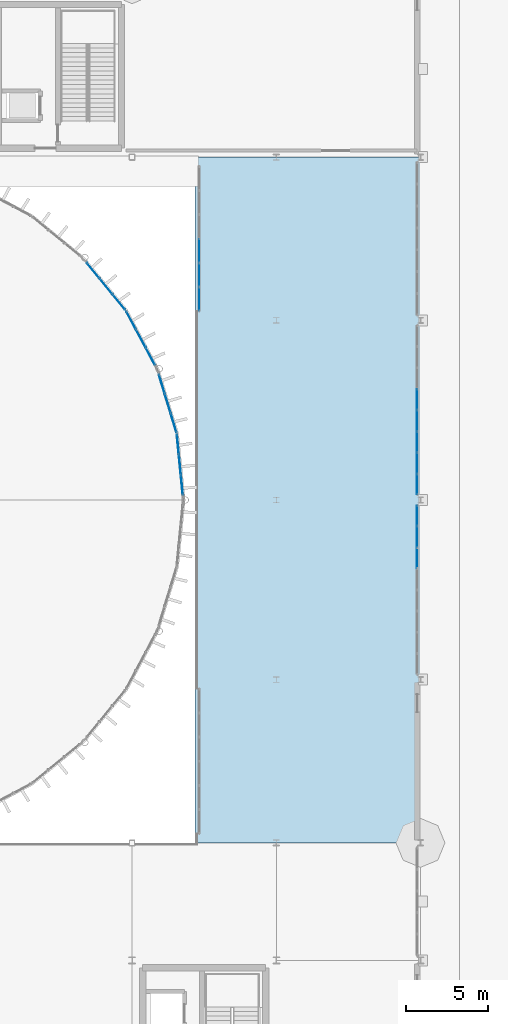
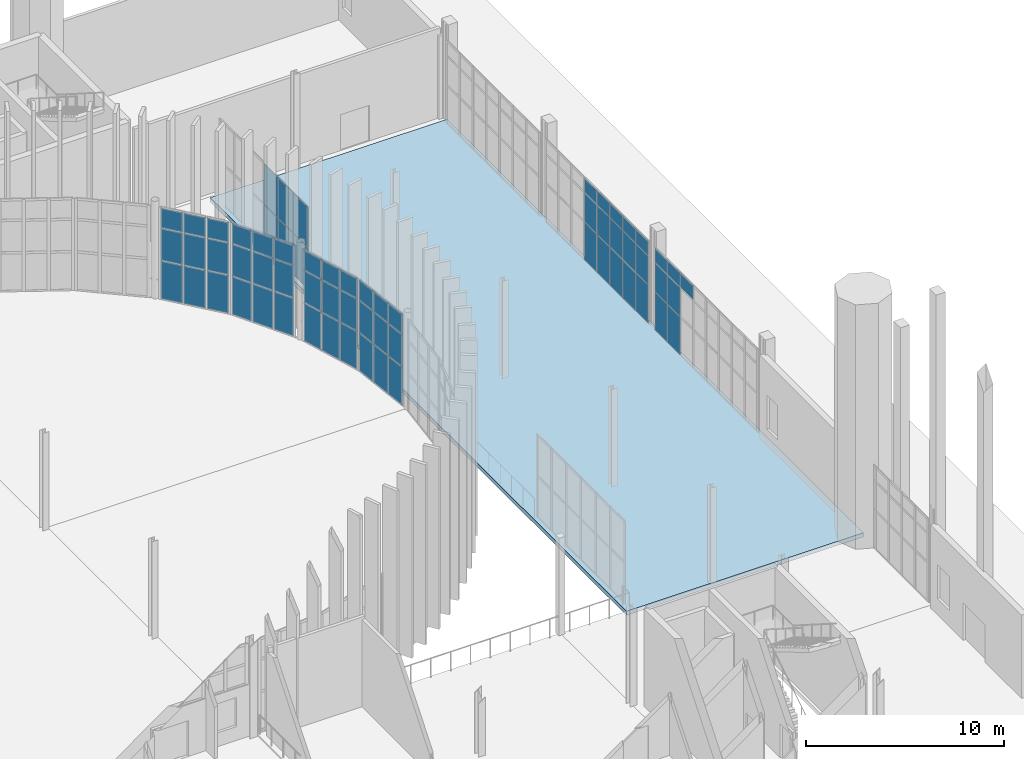
# One storey, part 84 of 139: 64 plates, 1 slab, 7 elements without a shape of their own.
"""IFC4 building model written with IfcOpenShell, lengths in metres."""

from ifc_helpers import new_model, si_unit, direction, frame, origin, origin_2d, place, context, subcontext, project, spatial, polyline, rectangle, outline, extrude, material, layer, layer_set, type_object, element, aggregate, save


model = new_model("IFC4")

# Units and contexts
model_context = context("Model", 3, precision=1e-05, world=origin(), true_north=direction((0.0, 1.0)))
body_context = subcontext(model_context, "Body", "Model", "MODEL_VIEW")
ifc_project = project(units=[si_unit("LENGTHUNIT", "METRE"), si_unit("AREAUNIT", "SQUARE_METRE"), si_unit("VOLUMEUNIT", "CUBIC_METRE"), si_unit("PLANEANGLEUNIT", "RADIAN"), si_unit("MASSUNIT", "GRAM", prefix="KILO")], contexts=[model_context])

# Site, building, storey
site_placement = place(None, origin())
site = spatial("IfcSite", under=ifc_project, at=site_placement, CompositionType="ELEMENT")
building_placement = place(site_placement, origin())
building = spatial("IfcBuilding", under=site, at=building_placement, Name="Yeouljin Market Hall", CompositionType="ELEMENT")
storey_placement = place(building_placement, origin())
storey = spatial("IfcBuildingStorey", under=building, at=storey_placement, Name="L00", CompositionType="ELEMENT", Elevation=0.0)

# Curtain wall, plates
ifc_material_1 = material(Name="Thermally Broken Aluminium", Category="aluminium")
ifc_layer_1 = layer(ifc_material_1, 0.179931640625)
ifc_layer_set_1 = layer_set([ifc_layer_1], Name="Thermally Broken Aluminium")
curtain_wall_type_1 = type_object("IfcCurtainWallType", Name="CW_ApseCurved_System", PredefinedType="USERDEFINED", material=ifc_layer_set_1)
curtain_wall_1_placement = place(storey_placement, origin())
curtain_wall_1 = element("IfcCurtainWall", 1, at=curtain_wall_1_placement, inside=storey, type_object=curtain_wall_type_1, Name="Curtain wall CW-AP-EL00-09", ObjectType="CURTAIN WALL", PredefinedType="USERDEFINED")
ifc_material_2 = material(Name="Low-E Insulated Glass", Category="glass")
ifc_layer_2 = layer(ifc_material_2, 0.031982421875)
ifc_layer_set_2 = layer_set([ifc_layer_2], Name="Low-E Insulated Glass")
plate_type_1 = type_object("IfcPlateType", Name="CWPanel_AcousticGlass_32", PredefinedType="CURTAIN_PANEL", material=ifc_layer_set_2)
plate_1_placement = place(storey_placement, frame((161.54541015625, 60.39599609375, 0.0478515625), z_axis=(0.0, 0.0, 1.0), x_axis=(0.09803414403, -0.995183051807, 0.0)))
plate_1 = element("IfcPlate", 2, at=plate_1_placement, type_object=plate_type_1, Name="CW-03 panel 1.1", PredefinedType="CURTAIN_PANEL", context=body_context, shape_type="SweptSolid", body=[
    extrude(rectangle(XDim=1.185791015625, YDim=0.031982421875, at=origin_2d()), origin(), (0.0, 0.0, 1.0), 2.327880859375),
])
plate_2_placement = place(storey_placement, frame((161.54541015625, 60.39599609375, 2.423828125), z_axis=(0.0, 0.0, 1.0), x_axis=(0.09803414403, -0.995183051807, 0.0)))
plate_2 = element("IfcPlate", 3, at=plate_2_placement, type_object=plate_type_1, Name="CW-03 panel 1.2", PredefinedType="CURTAIN_PANEL", context=body_context, shape_type="SweptSolid", body=[
    extrude(rectangle(XDim=1.185791015625, YDim=0.031982421875, at=origin_2d()), origin(), (0.0, 0.0, 1.0), 1.951904296875),
])
plate_3_placement = place(storey_placement, frame((161.54541015625, 60.39599609375, 4.424072265625), z_axis=(0.0, 0.0, 1.0), x_axis=(0.09803414403, -0.995183051807, 0.0)))
plate_3 = element("IfcPlate", 4, at=plate_3_placement, type_object=plate_type_1, Name="CW-03 panel 1.3", PredefinedType="CURTAIN_PANEL", context=body_context, shape_type="SweptSolid", body=[
    extrude(rectangle(XDim=1.185791015625, YDim=0.031982421875, at=origin_2d()), origin(), (0.0, 0.0, 1.0), 1.2080078125),
])
plate_4_placement = place(storey_placement, frame((161.667724609375, 59.15625, 0.0478515625), z_axis=(0.0, 0.0, 1.0), x_axis=(0.09803414403, -0.995183051807, 0.0)))
plate_4 = element("IfcPlate", 5, at=plate_4_placement, type_object=plate_type_1, Name="CW-03 panel 2.1", PredefinedType="CURTAIN_PANEL", context=body_context, shape_type="SweptSolid", body=[
    extrude(rectangle(XDim=1.209716796875, YDim=0.031982421875, at=origin_2d()), origin(), (0.0, 0.0, 1.0), 2.327880859375),
])
plate_5_placement = place(storey_placement, frame((161.667724609375, 59.15625, 2.423828125), z_axis=(0.0, 0.0, 1.0), x_axis=(0.09803414403, -0.995183051807, 0.0)))
plate_5 = element("IfcPlate", 6, at=plate_5_placement, type_object=plate_type_1, Name="CW-03 panel 2.2", PredefinedType="CURTAIN_PANEL", context=body_context, shape_type="SweptSolid", body=[
    extrude(rectangle(XDim=1.209716796875, YDim=0.031982421875, at=origin_2d()), origin(), (0.0, 0.0, 1.0), 1.951904296875),
])
plate_6_placement = place(storey_placement, frame((161.667724609375, 59.15625, 4.424072265625), z_axis=(0.0, 0.0, 1.0), x_axis=(0.09803414403, -0.995183051807, 0.0)))
plate_6 = element("IfcPlate", 7, at=plate_6_placement, type_object=plate_type_1, Name="CW-03 panel 2.3", PredefinedType="CURTAIN_PANEL", context=body_context, shape_type="SweptSolid", body=[
    extrude(rectangle(XDim=1.209716796875, YDim=0.031982421875, at=origin_2d()), origin(), (0.0, 0.0, 1.0), 1.2080078125),
])
plate_7_placement = place(storey_placement, frame((161.789794921875, 57.91650390625, 0.0478515625), z_axis=(0.0, 0.0, 1.0), x_axis=(0.09803414403, -0.995183051807, 0.0)))
plate_7 = element("IfcPlate", 8, at=plate_7_placement, type_object=plate_type_1, Name="CW-03 panel 3.1", PredefinedType="CURTAIN_PANEL", context=body_context, shape_type="SweptSolid", body=[
    extrude(rectangle(XDim=1.185791015625, YDim=0.031982421875, at=origin_2d()), origin(), (0.0, 0.0, 1.0), 2.327880859375),
])
plate_8_placement = place(storey_placement, frame((161.789794921875, 57.91650390625, 2.423828125), z_axis=(0.0, 0.0, 1.0), x_axis=(0.09803414403, -0.995183051807, 0.0)))
plate_8 = element("IfcPlate", 9, at=plate_8_placement, type_object=plate_type_1, Name="CW-03 panel 3.2", PredefinedType="CURTAIN_PANEL", context=body_context, shape_type="SweptSolid", body=[
    extrude(rectangle(XDim=1.185791015625, YDim=0.031982421875, at=origin_2d()), origin(), (0.0, 0.0, 1.0), 1.951904296875),
])
plate_9_placement = place(storey_placement, frame((161.789794921875, 57.91650390625, 4.424072265625), z_axis=(0.0, 0.0, 1.0), x_axis=(0.09803414403, -0.995183051807, 0.0)))
plate_9 = element("IfcPlate", 10, at=plate_9_placement, type_object=plate_type_1, Name="CW-03 panel 3.3", PredefinedType="CURTAIN_PANEL", context=body_context, shape_type="SweptSolid", body=[
    extrude(rectangle(XDim=1.185791015625, YDim=0.031982421875, at=origin_2d()), origin(), (0.0, 0.0, 1.0), 1.2080078125),
])
aggregate(curtain_wall_1, [plate_1, plate_2, plate_3, plate_4, plate_5, plate_6, plate_7, plate_8, plate_9])

curtain_wall_2_placement = place(storey_placement, origin())
curtain_wall_2 = element("IfcCurtainWall", 11, at=curtain_wall_2_placement, inside=storey, type_object=curtain_wall_type_1, Name="Curtain wall CW-AP-EL00-10", ObjectType="CURTAIN WALL", PredefinedType="USERDEFINED")
plate_10_placement = place(storey_placement, frame((160.557861328125, 64.109130859375, 0.0478515625), z_axis=(0.0, 0.0, 1.0), x_axis=(0.290286164863, -0.95693988447, 0.0)))
plate_10 = element("IfcPlate", 12, at=plate_10_placement, type_object=plate_type_1, Name="CW-03 panel 1.1", PredefinedType="CURTAIN_PANEL", context=body_context, shape_type="SweptSolid", body=[
    extrude(rectangle(XDim=1.185791015625, YDim=0.031982421875, at=origin_2d()), origin(), (0.0, 0.0, 1.0), 2.327880859375),
])
plate_11_placement = place(storey_placement, frame((160.557861328125, 64.109130859375, 2.423828125), z_axis=(0.0, 0.0, 1.0), x_axis=(0.290286164863, -0.95693988447, 0.0)))
plate_11 = element("IfcPlate", 13, at=plate_11_placement, type_object=plate_type_1, Name="CW-03 panel 1.2", PredefinedType="CURTAIN_PANEL", context=body_context, shape_type="SweptSolid", body=[
    extrude(rectangle(XDim=1.185791015625, YDim=0.031982421875, at=origin_2d()), origin(), (0.0, 0.0, 1.0), 1.951904296875),
])
plate_12_placement = place(storey_placement, frame((160.557861328125, 64.109130859375, 4.424072265625), z_axis=(0.0, 0.0, 1.0), x_axis=(0.290286164863, -0.95693988447, 0.0)))
plate_12 = element("IfcPlate", 14, at=plate_12_placement, type_object=plate_type_1, Name="CW-03 panel 1.3", PredefinedType="CURTAIN_PANEL", context=body_context, shape_type="SweptSolid", body=[
    extrude(rectangle(XDim=1.185791015625, YDim=0.031982421875, at=origin_2d()), origin(), (0.0, 0.0, 1.0), 1.2080078125),
])
plate_13_placement = place(storey_placement, frame((160.91943359375, 62.917236328125, 0.0478515625), z_axis=(0.0, 0.0, 1.0), x_axis=(0.290286164863, -0.95693988447, 0.0)))
plate_13 = element("IfcPlate", 15, at=plate_13_placement, type_object=plate_type_1, Name="CW-03 panel 2.1", PredefinedType="CURTAIN_PANEL", context=body_context, shape_type="SweptSolid", body=[
    extrude(rectangle(XDim=1.209716796875, YDim=0.031982421875, at=origin_2d()), origin(), (0.0, 0.0, 1.0), 2.327880859375),
])
plate_14_placement = place(storey_placement, frame((160.91943359375, 62.917236328125, 2.423828125), z_axis=(0.0, 0.0, 1.0), x_axis=(0.290286164863, -0.95693988447, 0.0)))
plate_14 = element("IfcPlate", 16, at=plate_14_placement, type_object=plate_type_1, Name="CW-03 panel 2.2", PredefinedType="CURTAIN_PANEL", context=body_context, shape_type="SweptSolid", body=[
    extrude(rectangle(XDim=1.209716796875, YDim=0.031982421875, at=origin_2d()), origin(), (0.0, 0.0, 1.0), 1.951904296875),
])
plate_15_placement = place(storey_placement, frame((160.91943359375, 62.917236328125, 4.424072265625), z_axis=(0.0, 0.0, 1.0), x_axis=(0.290286164863, -0.95693988447, 0.0)))
plate_15 = element("IfcPlate", 17, at=plate_15_placement, type_object=plate_type_1, Name="CW-03 panel 2.3", PredefinedType="CURTAIN_PANEL", context=body_context, shape_type="SweptSolid", body=[
    extrude(rectangle(XDim=1.209716796875, YDim=0.031982421875, at=origin_2d()), origin(), (0.0, 0.0, 1.0), 1.2080078125),
])
plate_16_placement = place(storey_placement, frame((161.28125, 61.72509765625, 0.0478515625), z_axis=(0.0, 0.0, 1.0), x_axis=(0.290286164863, -0.95693988447, 0.0)))
plate_16 = element("IfcPlate", 18, at=plate_16_placement, type_object=plate_type_1, Name="CW-03 panel 3.1", PredefinedType="CURTAIN_PANEL", context=body_context, shape_type="SweptSolid", body=[
    extrude(rectangle(XDim=1.185791015625, YDim=0.031982421875, at=origin_2d()), origin(), (0.0, 0.0, 1.0), 2.327880859375),
])
plate_17_placement = place(storey_placement, frame((161.28125, 61.72509765625, 2.423828125), z_axis=(0.0, 0.0, 1.0), x_axis=(0.290286164863, -0.95693988447, 0.0)))
plate_17 = element("IfcPlate", 19, at=plate_17_placement, type_object=plate_type_1, Name="CW-03 panel 3.2", PredefinedType="CURTAIN_PANEL", context=body_context, shape_type="SweptSolid", body=[
    extrude(rectangle(XDim=1.185791015625, YDim=0.031982421875, at=origin_2d()), origin(), (0.0, 0.0, 1.0), 1.951904296875),
])
plate_18_placement = place(storey_placement, frame((161.28125, 61.72509765625, 4.424072265625), z_axis=(0.0, 0.0, 1.0), x_axis=(0.290286164863, -0.95693988447, 0.0)))
plate_18 = element("IfcPlate", 20, at=plate_18_placement, type_object=plate_type_1, Name="CW-03 panel 3.3", PredefinedType="CURTAIN_PANEL", context=body_context, shape_type="SweptSolid", body=[
    extrude(rectangle(XDim=1.185791015625, YDim=0.031982421875, at=origin_2d()), origin(), (0.0, 0.0, 1.0), 1.2080078125),
])
aggregate(curtain_wall_2, [plate_10, plate_11, plate_12, plate_13, plate_14, plate_15, plate_16, plate_17, plate_18])

curtain_wall_3_placement = place(storey_placement, origin())
curtain_wall_3 = element("IfcCurtainWall", 21, at=curtain_wall_3_placement, inside=storey, type_object=curtain_wall_type_1, Name="Curtain wall CW-AP-EL00-11", ObjectType="CURTAIN WALL", PredefinedType="USERDEFINED")
plate_19_placement = place(storey_placement, frame((158.68212890625, 67.999755859375, 0.0478515625), z_axis=(0.0, 0.0, 1.0), x_axis=(0.471377626598, -0.881931478712, 0.0)))
plate_19 = element("IfcPlate", 22, at=plate_19_placement, type_object=plate_type_1, Name="CW-03 panel 1.1", PredefinedType="CURTAIN_PANEL", context=body_context, shape_type="SweptSolid", body=[
    extrude(rectangle(XDim=1.185791015625, YDim=0.031982421875, at=origin_2d()), origin(), (0.0, 0.0, 1.0), 2.327880859375),
])
plate_20_placement = place(storey_placement, frame((158.68212890625, 67.999755859375, 2.423828125), z_axis=(0.0, 0.0, 1.0), x_axis=(0.471377626598, -0.881931478712, 0.0)))
plate_20 = element("IfcPlate", 23, at=plate_20_placement, type_object=plate_type_1, Name="CW-03 panel 1.2", PredefinedType="CURTAIN_PANEL", context=body_context, shape_type="SweptSolid", body=[
    extrude(rectangle(XDim=1.185791015625, YDim=0.031982421875, at=origin_2d()), origin(), (0.0, 0.0, 1.0), 1.951904296875),
])
plate_21_placement = place(storey_placement, frame((158.68212890625, 67.999755859375, 4.424072265625), z_axis=(0.0, 0.0, 1.0), x_axis=(0.471377626598, -0.881931478712, 0.0)))
plate_21 = element("IfcPlate", 24, at=plate_21_placement, type_object=plate_type_1, Name="CW-03 panel 1.3", PredefinedType="CURTAIN_PANEL", context=body_context, shape_type="SweptSolid", body=[
    extrude(rectangle(XDim=1.185791015625, YDim=0.031982421875, at=origin_2d()), origin(), (0.0, 0.0, 1.0), 1.2080078125),
])
plate_22_placement = place(storey_placement, frame((159.269287109375, 66.901123046875, 0.0478515625), z_axis=(0.0, 0.0, 1.0), x_axis=(0.471377626598, -0.881931478712, 0.0)))
plate_22 = element("IfcPlate", 25, at=plate_22_placement, type_object=plate_type_1, Name="CW-03 panel 2.1", PredefinedType="CURTAIN_PANEL", context=body_context, shape_type="SweptSolid", body=[
    extrude(rectangle(XDim=1.209716796875, YDim=0.031982421875, at=origin_2d()), origin(), (0.0, 0.0, 1.0), 2.327880859375),
])
plate_23_placement = place(storey_placement, frame((159.269287109375, 66.901123046875, 2.423828125), z_axis=(0.0, 0.0, 1.0), x_axis=(0.471377626598, -0.881931478712, 0.0)))
plate_23 = element("IfcPlate", 26, at=plate_23_placement, type_object=plate_type_1, Name="CW-03 panel 2.2", PredefinedType="CURTAIN_PANEL", context=body_context, shape_type="SweptSolid", body=[
    extrude(rectangle(XDim=1.209716796875, YDim=0.031982421875, at=origin_2d()), origin(), (0.0, 0.0, 1.0), 1.951904296875),
])
plate_24_placement = place(storey_placement, frame((159.269287109375, 66.901123046875, 4.424072265625), z_axis=(0.0, 0.0, 1.0), x_axis=(0.471377626598, -0.881931478712, 0.0)))
plate_24 = element("IfcPlate", 27, at=plate_24_placement, type_object=plate_type_1, Name="CW-03 panel 2.3", PredefinedType="CURTAIN_PANEL", context=body_context, shape_type="SweptSolid", body=[
    extrude(rectangle(XDim=1.209716796875, YDim=0.031982421875, at=origin_2d()), origin(), (0.0, 0.0, 1.0), 1.2080078125),
])
plate_25_placement = place(storey_placement, frame((159.8564453125, 65.802490234375, 0.0478515625), z_axis=(0.0, 0.0, 1.0), x_axis=(0.471377626598, -0.881931478712, 0.0)))
plate_25 = element("IfcPlate", 28, at=plate_25_placement, type_object=plate_type_1, Name="CW-03 panel 3.1", PredefinedType="CURTAIN_PANEL", context=body_context, shape_type="SweptSolid", body=[
    extrude(rectangle(XDim=1.185791015625, YDim=0.031982421875, at=origin_2d()), origin(), (0.0, 0.0, 1.0), 2.327880859375),
])
plate_26_placement = place(storey_placement, frame((159.8564453125, 65.802490234375, 2.423828125), z_axis=(0.0, 0.0, 1.0), x_axis=(0.471377626598, -0.881931478712, 0.0)))
plate_26 = element("IfcPlate", 29, at=plate_26_placement, type_object=plate_type_1, Name="CW-03 panel 3.2", PredefinedType="CURTAIN_PANEL", context=body_context, shape_type="SweptSolid", body=[
    extrude(rectangle(XDim=1.185791015625, YDim=0.031982421875, at=origin_2d()), origin(), (0.0, 0.0, 1.0), 1.951904296875),
])
plate_27_placement = place(storey_placement, frame((159.8564453125, 65.802490234375, 4.424072265625), z_axis=(0.0, 0.0, 1.0), x_axis=(0.471377626598, -0.881931478712, 0.0)))
plate_27 = element("IfcPlate", 30, at=plate_27_placement, type_object=plate_type_1, Name="CW-03 panel 3.3", PredefinedType="CURTAIN_PANEL", context=body_context, shape_type="SweptSolid", body=[
    extrude(rectangle(XDim=1.185791015625, YDim=0.031982421875, at=origin_2d()), origin(), (0.0, 0.0, 1.0), 1.2080078125),
])
aggregate(curtain_wall_3, [plate_19, plate_20, plate_21, plate_22, plate_23, plate_24, plate_25, plate_26, plate_27])

curtain_wall_4_placement = place(storey_placement, origin())
curtain_wall_4 = element("IfcCurtainWall", 31, at=curtain_wall_4_placement, inside=storey, type_object=curtain_wall_type_1, Name="Curtain wall CW-AP-EL00-12", ObjectType="CURTAIN WALL", PredefinedType="USERDEFINED")
plate_28_placement = place(storey_placement, frame((156.3486328125, 71.052490234375, 0.0478515625), z_axis=(0.0, 0.0, 1.0), x_axis=(0.634384432096, -0.773017717982, 0.0)))
plate_28 = element("IfcPlate", 32, at=plate_28_placement, type_object=plate_type_1, Name="CW-03 panel 1.1", PredefinedType="CURTAIN_PANEL", context=body_context, shape_type="SweptSolid", body=[
    extrude(rectangle(XDim=1.185791015625, YDim=0.031982421875, at=origin_2d()), origin(), (0.0, 0.0, 1.0), 2.327880859375),
])
plate_29_placement = place(storey_placement, frame((156.3486328125, 71.052490234375, 2.423828125), z_axis=(0.0, 0.0, 1.0), x_axis=(0.634384432096, -0.773017717982, 0.0)))
plate_29 = element("IfcPlate", 33, at=plate_29_placement, type_object=plate_type_1, Name="CW-03 panel 1.2", PredefinedType="CURTAIN_PANEL", context=body_context, shape_type="SweptSolid", body=[
    extrude(rectangle(XDim=1.185791015625, YDim=0.031982421875, at=origin_2d()), origin(), (0.0, 0.0, 1.0), 1.951904296875),
])
plate_30_placement = place(storey_placement, frame((156.3486328125, 71.052490234375, 4.424072265625), z_axis=(0.0, 0.0, 1.0), x_axis=(0.634384432096, -0.773017717982, 0.0)))
plate_30 = element("IfcPlate", 34, at=plate_30_placement, type_object=plate_type_1, Name="CW-03 panel 1.3", PredefinedType="CURTAIN_PANEL", context=body_context, shape_type="SweptSolid", body=[
    extrude(rectangle(XDim=1.185791015625, YDim=0.031982421875, at=origin_2d()), origin(), (0.0, 0.0, 1.0), 1.2080078125),
])
plate_31_placement = place(storey_placement, frame((157.138916015625, 70.089599609375, 0.0478515625), z_axis=(0.0, 0.0, 1.0), x_axis=(0.634384432096, -0.773017717982, 0.0)))
plate_31 = element("IfcPlate", 35, at=plate_31_placement, type_object=plate_type_1, Name="CW-03 panel 2.1", PredefinedType="CURTAIN_PANEL", context=body_context, shape_type="SweptSolid", body=[
    extrude(rectangle(XDim=1.209716796875, YDim=0.031982421875, at=origin_2d()), origin(), (0.0, 0.0, 1.0), 2.327880859375),
])
plate_32_placement = place(storey_placement, frame((157.138916015625, 70.089599609375, 2.423828125), z_axis=(0.0, 0.0, 1.0), x_axis=(0.634384432096, -0.773017717982, 0.0)))
plate_32 = element("IfcPlate", 36, at=plate_32_placement, type_object=plate_type_1, Name="CW-03 panel 2.2", PredefinedType="CURTAIN_PANEL", context=body_context, shape_type="SweptSolid", body=[
    extrude(rectangle(XDim=1.209716796875, YDim=0.031982421875, at=origin_2d()), origin(), (0.0, 0.0, 1.0), 1.951904296875),
])
plate_33_placement = place(storey_placement, frame((157.138916015625, 70.089599609375, 4.424072265625), z_axis=(0.0, 0.0, 1.0), x_axis=(0.634384432096, -0.773017717982, 0.0)))
plate_33 = element("IfcPlate", 37, at=plate_33_placement, type_object=plate_type_1, Name="CW-03 panel 2.3", PredefinedType="CURTAIN_PANEL", context=body_context, shape_type="SweptSolid", body=[
    extrude(rectangle(XDim=1.209716796875, YDim=0.031982421875, at=origin_2d()), origin(), (0.0, 0.0, 1.0), 1.2080078125),
])
plate_34_placement = place(storey_placement, frame((157.92919921875, 69.126708984375, 0.0478515625), z_axis=(0.0, 0.0, 1.0), x_axis=(0.634384432096, -0.773017717982, 0.0)))
plate_34 = element("IfcPlate", 38, at=plate_34_placement, type_object=plate_type_1, Name="CW-03 panel 3.1", PredefinedType="CURTAIN_PANEL", context=body_context, shape_type="SweptSolid", body=[
    extrude(rectangle(XDim=1.185791015625, YDim=0.031982421875, at=origin_2d()), origin(), (0.0, 0.0, 1.0), 2.327880859375),
])
plate_35_placement = place(storey_placement, frame((157.92919921875, 69.126708984375, 2.423828125), z_axis=(0.0, 0.0, 1.0), x_axis=(0.634384432096, -0.773017717982, 0.0)))
plate_35 = element("IfcPlate", 39, at=plate_35_placement, type_object=plate_type_1, Name="CW-03 panel 3.2", PredefinedType="CURTAIN_PANEL", context=body_context, shape_type="SweptSolid", body=[
    extrude(rectangle(XDim=1.185791015625, YDim=0.031982421875, at=origin_2d()), origin(), (0.0, 0.0, 1.0), 1.951904296875),
])
plate_36_placement = place(storey_placement, frame((157.92919921875, 69.126708984375, 4.424072265625), z_axis=(0.0, 0.0, 1.0), x_axis=(0.634384432096, -0.773017717982, 0.0)))
plate_36 = element("IfcPlate", 40, at=plate_36_placement, type_object=plate_type_1, Name="CW-03 panel 3.3", PredefinedType="CURTAIN_PANEL", context=body_context, shape_type="SweptSolid", body=[
    extrude(rectangle(XDim=1.185791015625, YDim=0.031982421875, at=origin_2d()), origin(), (0.0, 0.0, 1.0), 1.2080078125),
])
aggregate(curtain_wall_4, [plate_28, plate_29, plate_30, plate_31, plate_32, plate_33, plate_34, plate_35, plate_36])

ifc_material_3 = material(Name="Thermally Broken Aluminium", Category="aluminium")
ifc_layer_3 = layer(ifc_material_3, 0.14990234375)
ifc_layer_set_3 = layer_set([ifc_layer_3], Name="Thermally Broken Aluminium")
curtain_wall_type_2 = type_object("IfcCurtainWallType", Name="CW_WingStorefront_System", PredefinedType="USERDEFINED", material=ifc_layer_set_3)
curtain_wall_5_placement = place(storey_placement, origin())
curtain_wall_5 = element("IfcCurtainWall", 41, at=curtain_wall_5_placement, inside=storey, type_object=curtain_wall_type_2, Name="Curtain wall CW-V3E-L00-3", ObjectType="CURTAIN WALL", PredefinedType="USERDEFINED")
ifc_material_4 = material(Name="Low-E Insulated Glass", Category="glass")
ifc_layer_4 = layer(ifc_material_4, 0.028076171875)
ifc_layer_set_4 = layer_set([ifc_layer_4], Name="Low-E Insulated Glass")
plate_type_2 = type_object("IfcPlateType", Name="CWPanel_LowE_28", PredefinedType="CURTAIN_PANEL", material=ifc_layer_set_4)
plate_37_placement = place(storey_placement, frame((176.199951171875, 63.14990234375, 0.0478515625), z_axis=(0.0, 0.0, 1.0), x_axis=(0.0, -1.0, 0.0)))
plate_37 = element("IfcPlate", 42, at=plate_37_placement, type_object=plate_type_2, Name="CW-04 panel 4.1", PredefinedType="CURTAIN_PANEL", context=body_context, shape_type="SweptSolid", body=[
    extrude(rectangle(XDim=1.251953125, YDim=0.028076171875, at=origin_2d()), origin(), (0.0, 0.0, 1.0), 2.327880859375),
])
plate_38_placement = place(storey_placement, frame((176.199951171875, 63.14990234375, 2.424072265625), z_axis=(0.0, 0.0, 1.0), x_axis=(0.0, -1.0, 0.0)))
plate_38 = element("IfcPlate", 43, at=plate_38_placement, type_object=plate_type_2, Name="CW-04 panel 4.2", PredefinedType="CURTAIN_PANEL", context=body_context, shape_type="SweptSolid", body=[
    extrude(rectangle(XDim=1.251953125, YDim=0.028076171875, at=origin_2d()), origin(), (0.0, 0.0, 1.0), 1.751953125),
])
plate_39_placement = place(storey_placement, frame((176.199951171875, 63.14990234375, 4.22412109375), z_axis=(0.0, 0.0, 1.0), x_axis=(0.0, -1.0, 0.0)))
plate_39 = element("IfcPlate", 44, at=plate_39_placement, type_object=plate_type_2, Name="CW-04 panel 4.3", PredefinedType="CURTAIN_PANEL", context=body_context, shape_type="SweptSolid", body=[
    extrude(rectangle(XDim=1.251953125, YDim=0.028076171875, at=origin_2d()), origin(), (0.0, 0.0, 1.0), 0.847900390625),
])
plate_40_placement = place(storey_placement, frame((176.199951171875, 61.85009765625, 0.0478515625), z_axis=(0.0, 0.0, 1.0), x_axis=(0.0, -1.0, 0.0)))
plate_40 = element("IfcPlate", 45, at=plate_40_placement, type_object=plate_type_2, Name="CW-04 panel 5.1", PredefinedType="CURTAIN_PANEL", context=body_context, shape_type="SweptSolid", body=[
    extrude(rectangle(XDim=1.251953125, YDim=0.028076171875, at=origin_2d()), origin(), (0.0, 0.0, 1.0), 2.327880859375),
])
plate_41_placement = place(storey_placement, frame((176.199951171875, 61.85009765625, 2.424072265625), z_axis=(0.0, 0.0, 1.0), x_axis=(0.0, -1.0, 0.0)))
plate_41 = element("IfcPlate", 46, at=plate_41_placement, type_object=plate_type_2, Name="CW-04 panel 5.2", PredefinedType="CURTAIN_PANEL", context=body_context, shape_type="SweptSolid", body=[
    extrude(rectangle(XDim=1.251953125, YDim=0.028076171875, at=origin_2d()), origin(), (0.0, 0.0, 1.0), 1.751953125),
])
plate_42_placement = place(storey_placement, frame((176.199951171875, 61.85009765625, 4.22412109375), z_axis=(0.0, 0.0, 1.0), x_axis=(0.0, -1.0, 0.0)))
plate_42 = element("IfcPlate", 47, at=plate_42_placement, type_object=plate_type_2, Name="CW-04 panel 5.3", PredefinedType="CURTAIN_PANEL", context=body_context, shape_type="SweptSolid", body=[
    extrude(rectangle(XDim=1.251953125, YDim=0.028076171875, at=origin_2d()), origin(), (0.0, 0.0, 1.0), 0.847900390625),
])
plate_43_placement = place(storey_placement, frame((176.199951171875, 60.550048828125, 0.0478515625), z_axis=(0.0, 0.0, 1.0), x_axis=(0.0, -1.0, 0.0)))
plate_43 = element("IfcPlate", 48, at=plate_43_placement, type_object=plate_type_2, Name="CW-04 panel 6.1", PredefinedType="CURTAIN_PANEL", context=body_context, shape_type="SweptSolid", body=[
    extrude(rectangle(XDim=1.251953125, YDim=0.028076171875, at=origin_2d()), origin(), (0.0, 0.0, 1.0), 2.327880859375),
])
plate_44_placement = place(storey_placement, frame((176.199951171875, 60.550048828125, 2.424072265625), z_axis=(0.0, 0.0, 1.0), x_axis=(0.0, -1.0, 0.0)))
plate_44 = element("IfcPlate", 49, at=plate_44_placement, type_object=plate_type_2, Name="CW-04 panel 6.2", PredefinedType="CURTAIN_PANEL", context=body_context, shape_type="SweptSolid", body=[
    extrude(rectangle(XDim=1.251953125, YDim=0.028076171875, at=origin_2d()), origin(), (0.0, 0.0, 1.0), 1.751953125),
])
plate_45_placement = place(storey_placement, frame((176.199951171875, 60.550048828125, 4.22412109375), z_axis=(0.0, 0.0, 1.0), x_axis=(0.0, -1.0, 0.0)))
plate_45 = element("IfcPlate", 50, at=plate_45_placement, type_object=plate_type_2, Name="CW-04 panel 6.3", PredefinedType="CURTAIN_PANEL", context=body_context, shape_type="SweptSolid", body=[
    extrude(rectangle(XDim=1.251953125, YDim=0.028076171875, at=origin_2d()), origin(), (0.0, 0.0, 1.0), 0.847900390625),
])
plate_46_placement = place(storey_placement, frame((176.199951171875, 59.25, 0.0478515625), z_axis=(0.0, 0.0, 1.0), x_axis=(0.0, -1.0, 0.0)))
plate_46 = element("IfcPlate", 51, at=plate_46_placement, type_object=plate_type_2, Name="CW-04 panel 7.1", PredefinedType="CURTAIN_PANEL", context=body_context, shape_type="SweptSolid", body=[
    extrude(rectangle(XDim=1.251953125, YDim=0.028076171875, at=origin_2d()), origin(), (0.0, 0.0, 1.0), 2.327880859375),
])
plate_47_placement = place(storey_placement, frame((176.199951171875, 59.25, 2.424072265625), z_axis=(0.0, 0.0, 1.0), x_axis=(0.0, -1.0, 0.0)))
plate_47 = element("IfcPlate", 52, at=plate_47_placement, type_object=plate_type_2, Name="CW-04 panel 7.2", PredefinedType="CURTAIN_PANEL", context=body_context, shape_type="SweptSolid", body=[
    extrude(rectangle(XDim=1.251953125, YDim=0.028076171875, at=origin_2d()), origin(), (0.0, 0.0, 1.0), 1.751953125),
])
plate_48_placement = place(storey_placement, frame((176.199951171875, 59.25, 4.22412109375), z_axis=(0.0, 0.0, 1.0), x_axis=(0.0, -1.0, 0.0)))
plate_48 = element("IfcPlate", 53, at=plate_48_placement, type_object=plate_type_2, Name="CW-04 panel 7.3", PredefinedType="CURTAIN_PANEL", context=body_context, shape_type="SweptSolid", body=[
    extrude(rectangle(XDim=1.251953125, YDim=0.028076171875, at=origin_2d()), origin(), (0.0, 0.0, 1.0), 0.847900390625),
])
plate_49_placement = place(storey_placement, frame((176.199951171875, 57.9619140625, 0.0478515625), z_axis=(0.0, 0.0, 1.0), x_axis=(0.0, -1.0, 0.0)))
plate_49 = element("IfcPlate", 54, at=plate_49_placement, type_object=plate_type_2, Name="CW-04 panel 8.1", PredefinedType="CURTAIN_PANEL", context=body_context, shape_type="SweptSolid", body=[
    extrude(rectangle(XDim=1.22802734375, YDim=0.028076171875, at=origin_2d()), origin(), (0.0, 0.0, 1.0), 2.327880859375),
])
plate_50_placement = place(storey_placement, frame((176.199951171875, 57.9619140625, 2.424072265625), z_axis=(0.0, 0.0, 1.0), x_axis=(0.0, -1.0, 0.0)))
plate_50 = element("IfcPlate", 55, at=plate_50_placement, type_object=plate_type_2, Name="CW-04 panel 8.2", PredefinedType="CURTAIN_PANEL", context=body_context, shape_type="SweptSolid", body=[
    extrude(rectangle(XDim=1.22802734375, YDim=0.028076171875, at=origin_2d()), origin(), (0.0, 0.0, 1.0), 1.751953125),
])
plate_51_placement = place(storey_placement, frame((176.199951171875, 57.9619140625, 4.22412109375), z_axis=(0.0, 0.0, 1.0), x_axis=(0.0, -1.0, 0.0)))
plate_51 = element("IfcPlate", 56, at=plate_51_placement, type_object=plate_type_2, Name="CW-04 panel 8.3", PredefinedType="CURTAIN_PANEL", context=body_context, shape_type="SweptSolid", body=[
    extrude(rectangle(XDim=1.22802734375, YDim=0.028076171875, at=origin_2d()), origin(), (0.0, 0.0, 1.0), 0.847900390625),
])
aggregate(curtain_wall_5, [plate_37, plate_38, plate_39, plate_40, plate_41, plate_42, plate_43, plate_44, plate_45, plate_46, plate_47, plate_48, plate_49, plate_50, plate_51])

curtain_wall_6_placement = place(storey_placement, origin())
curtain_wall_6 = element("IfcCurtainWall", 57, at=curtain_wall_6_placement, inside=storey, type_object=curtain_wall_type_2, Name="Curtain wall CW-V3E-L00-4", ObjectType="CURTAIN WALL", PredefinedType="USERDEFINED")
plate_52_placement = place(storey_placement, frame((176.199951171875, 56.0380859375, 0.0478515625), z_axis=(0.0, 0.0, 1.0), x_axis=(0.0, -1.0, 0.0)))
plate_52 = element("IfcPlate", 58, at=plate_52_placement, type_object=plate_type_2, Name="CW-04 panel 1.1", PredefinedType="CURTAIN_PANEL", context=body_context, shape_type="SweptSolid", body=[
    extrude(rectangle(XDim=1.22802734375, YDim=0.028076171875, at=origin_2d()), origin(), (0.0, 0.0, 1.0), 2.327880859375),
])
plate_53_placement = place(storey_placement, frame((176.199951171875, 56.0380859375, 2.424072265625), z_axis=(0.0, 0.0, 1.0), x_axis=(0.0, -1.0, 0.0)))
plate_53 = element("IfcPlate", 59, at=plate_53_placement, type_object=plate_type_2, Name="CW-04 panel 1.2", PredefinedType="CURTAIN_PANEL", context=body_context, shape_type="SweptSolid", body=[
    extrude(rectangle(XDim=1.22802734375, YDim=0.028076171875, at=origin_2d()), origin(), (0.0, 0.0, 1.0), 1.751953125),
])
plate_54_placement = place(storey_placement, frame((176.199951171875, 56.0380859375, 4.22412109375), z_axis=(0.0, 0.0, 1.0), x_axis=(0.0, -1.0, 0.0)))
plate_54 = element("IfcPlate", 60, at=plate_54_placement, type_object=plate_type_2, Name="CW-04 panel 1.3", PredefinedType="CURTAIN_PANEL", context=body_context, shape_type="SweptSolid", body=[
    extrude(rectangle(XDim=1.22802734375, YDim=0.028076171875, at=origin_2d()), origin(), (0.0, 0.0, 1.0), 0.847900390625),
])
plate_55_placement = place(storey_placement, frame((176.199951171875, 54.75, 0.0478515625), z_axis=(0.0, 0.0, 1.0), x_axis=(0.0, -1.0, 0.0)))
plate_55 = element("IfcPlate", 61, at=plate_55_placement, type_object=plate_type_2, Name="CW-04 panel 2.1", PredefinedType="CURTAIN_PANEL", context=body_context, shape_type="SweptSolid", body=[
    extrude(rectangle(XDim=1.251953125, YDim=0.028076171875, at=origin_2d()), origin(), (0.0, 0.0, 1.0), 2.327880859375),
])
plate_56_placement = place(storey_placement, frame((176.199951171875, 54.75, 2.424072265625), z_axis=(0.0, 0.0, 1.0), x_axis=(0.0, -1.0, 0.0)))
plate_56 = element("IfcPlate", 62, at=plate_56_placement, type_object=plate_type_2, Name="CW-04 panel 2.2", PredefinedType="CURTAIN_PANEL", context=body_context, shape_type="SweptSolid", body=[
    extrude(rectangle(XDim=1.251953125, YDim=0.028076171875, at=origin_2d()), origin(), (0.0, 0.0, 1.0), 1.751953125),
])
plate_57_placement = place(storey_placement, frame((176.199951171875, 54.75, 4.22412109375), z_axis=(0.0, 0.0, 1.0), x_axis=(0.0, -1.0, 0.0)))
plate_57 = element("IfcPlate", 63, at=plate_57_placement, type_object=plate_type_2, Name="CW-04 panel 2.3", PredefinedType="CURTAIN_PANEL", context=body_context, shape_type="SweptSolid", body=[
    extrude(rectangle(XDim=1.251953125, YDim=0.028076171875, at=origin_2d()), origin(), (0.0, 0.0, 1.0), 0.847900390625),
])
plate_58_placement = place(storey_placement, frame((176.199951171875, 53.449951171875, 4.22412109375), z_axis=(0.0, 0.0, 1.0), x_axis=(0.0, -1.0, 0.0)))
plate_58 = element("IfcPlate", 64, at=plate_58_placement, type_object=plate_type_2, Name="CW-04 panel 3.3", PredefinedType="CURTAIN_PANEL", context=body_context, shape_type="SweptSolid", body=[
    extrude(rectangle(XDim=1.251953125, YDim=0.028076171875, at=origin_2d()), origin(), (0.0, 0.0, 1.0), 0.847900390625),
])
aggregate(curtain_wall_6, [plate_52, plate_53, plate_54, plate_55, plate_56, plate_57, plate_58])

curtain_wall_7_placement = place(storey_placement, origin())
curtain_wall_7 = element("IfcCurtainWall", 65, at=curtain_wall_7_placement, inside=storey, type_object=curtain_wall_type_2, Name="Curtain wall CW-CRT-L00-14", ObjectType="CURTAIN WALL", PredefinedType="USERDEFINED")
plate_59_placement = place(storey_placement, frame((162.85009765625, 72.25830078125, 0.0478515625), z_axis=(0.0, 0.0, 1.0), x_axis=(0.0, -1.0, 0.0)))
plate_59 = element("IfcPlate", 66, at=plate_59_placement, type_object=plate_type_2, Name="CW-04 panel 4.1", PredefinedType="CURTAIN_PANEL", context=body_context, shape_type="SweptSolid", body=[
    extrude(rectangle(XDim=1.435302734375, YDim=0.028076171875, at=origin_2d()), origin(), (0.0, 0.0, 1.0), 2.488037109375),
])
plate_60_placement = place(storey_placement, frame((162.85009765625, 72.25830078125, 2.583984375), z_axis=(0.0, 0.0, 1.0), x_axis=(0.0, -1.0, 0.0)))
plate_60 = element("IfcPlate", 67, at=plate_60_placement, type_object=plate_type_2, Name="CW-04 panel 4.2", PredefinedType="CURTAIN_PANEL", context=body_context, shape_type="SweptSolid", body=[
    extrude(rectangle(XDim=1.435302734375, YDim=0.028076171875, at=origin_2d()), origin(), (0.0, 0.0, 1.0), 2.488037109375),
])
plate_61_placement = place(storey_placement, frame((162.85009765625, 70.77490234375, 0.0478515625), z_axis=(0.0, 0.0, 1.0), x_axis=(0.0, -1.0, 0.0)))
plate_61 = element("IfcPlate", 68, at=plate_61_placement, type_object=plate_type_2, Name="CW-04 panel 5.1", PredefinedType="CURTAIN_PANEL", context=body_context, shape_type="SweptSolid", body=[
    extrude(rectangle(XDim=1.435302734375, YDim=0.028076171875, at=origin_2d()), origin(), (0.0, 0.0, 1.0), 2.488037109375),
])
plate_62_placement = place(storey_placement, frame((162.85009765625, 70.77490234375, 2.583984375), z_axis=(0.0, 0.0, 1.0), x_axis=(0.0, -1.0, 0.0)))
plate_62 = element("IfcPlate", 69, at=plate_62_placement, type_object=plate_type_2, Name="CW-04 panel 5.2", PredefinedType="CURTAIN_PANEL", context=body_context, shape_type="SweptSolid", body=[
    extrude(rectangle(XDim=1.435302734375, YDim=0.028076171875, at=origin_2d()), origin(), (0.0, 0.0, 1.0), 2.488037109375),
])
plate_63_placement = place(storey_placement, frame((162.85009765625, 69.3037109375, 0.0478515625), z_axis=(0.0, 0.0, 1.0), x_axis=(0.0, -1.0, 0.0)))
plate_63 = element("IfcPlate", 70, at=plate_63_placement, type_object=plate_type_2, Name="CW-04 panel 6.1", PredefinedType="CURTAIN_PANEL", context=body_context, shape_type="SweptSolid", body=[
    extrude(rectangle(XDim=1.411376953125, YDim=0.028076171875, at=origin_2d()), origin(), (0.0, 0.0, 1.0), 2.488037109375),
])
plate_64_placement = place(storey_placement, frame((162.85009765625, 69.3037109375, 2.583984375), z_axis=(0.0, 0.0, 1.0), x_axis=(0.0, -1.0, 0.0)))
plate_64 = element("IfcPlate", 71, at=plate_64_placement, type_object=plate_type_2, Name="CW-04 panel 6.2", PredefinedType="CURTAIN_PANEL", context=body_context, shape_type="SweptSolid", body=[
    extrude(rectangle(XDim=1.411376953125, YDim=0.028076171875, at=origin_2d()), origin(), (0.0, 0.0, 1.0), 2.488037109375),
])
aggregate(curtain_wall_7, [plate_59, plate_60, plate_61, plate_62, plate_63, plate_64])

# Slab
ifc_material_5 = material(Name="Concrete C30/37", Category="concrete")
ifc_layer_5 = layer(ifc_material_5, 0.25)
ifc_layer_set_5 = layer_set([ifc_layer_5], Name="Concrete C30/37")
slab_type = type_object("IfcSlabType", Name="SLB_WING_250", PredefinedType="FLOOR", material=ifc_layer_set_5)
slab_placement = place(storey_placement, frame((0.0, 0.0, -0.25)))
element("IfcSlab", 72, at=slab_placement, inside=storey, type_object=slab_type, Name="Structural slab SLB-L00-EM", PredefinedType="FLOOR", context=body_context, shape_type="SweptSolid", body=[
    extrude(outline(polyline([(162.60009765625, 36.0), (176.39990234375, 36.0), (176.39990234375, 78.0), (162.60009765625, 78.0), (162.60009765625, 36.0)])), origin(), (0.0, 0.0, 1.0), 0.25),
])

save(model, "model.ifc")
